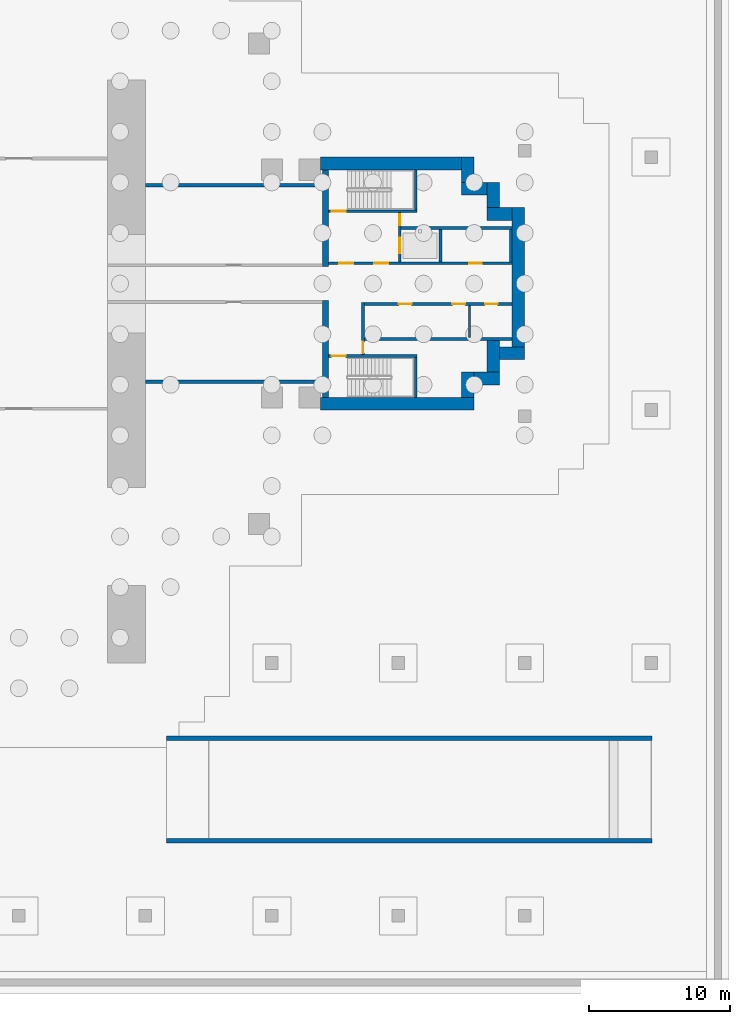
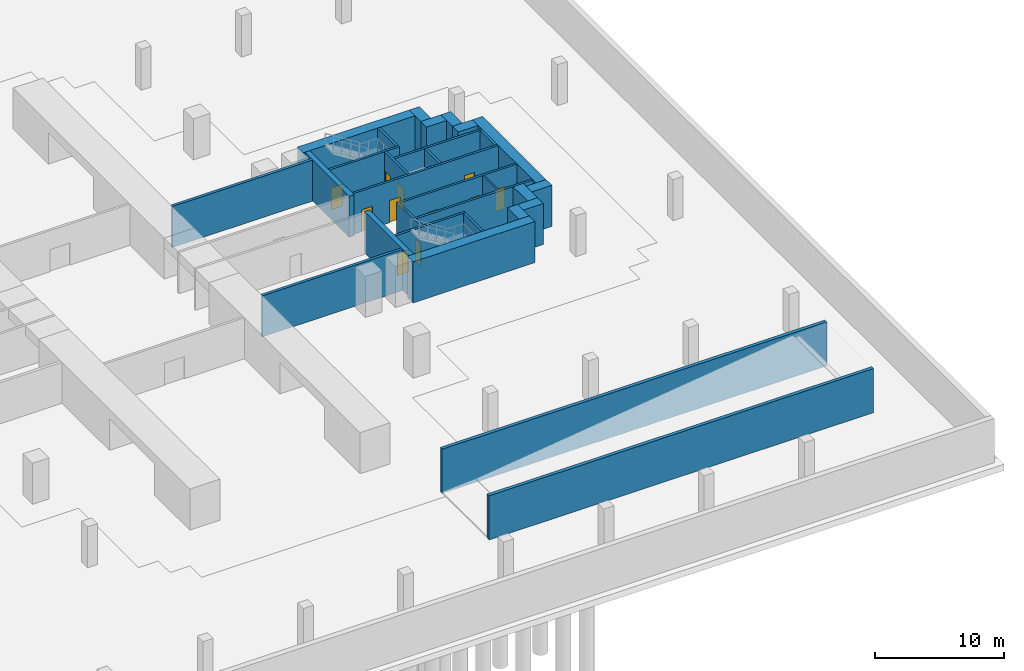
# One storey, part 6 of 11: 30 walls, 11 doors, 11 openings.
"""IFC4 building model written with IfcOpenShell, lengths in metres."""

from ifc_helpers import new_model, si_unit, direction, frame, frame_2d, origin, place, context, subcontext, project, spatial, rectangle, extrude, material, layer, layer_set, type_object, element, fill, save


model = new_model("IFC4")

# Units and contexts
model_context = context("Model", 3, precision=1e-05, world=origin(), true_north=direction((0.0, 1.0)))
body_context = subcontext(model_context, "Body", "Model", "MODEL_VIEW")
ifc_project = project(units=[si_unit("LENGTHUNIT", "METRE"), si_unit("AREAUNIT", "SQUARE_METRE"), si_unit("VOLUMEUNIT", "CUBIC_METRE"), si_unit("PLANEANGLEUNIT", "RADIAN"), si_unit("MASSUNIT", "GRAM", prefix="KILO")], contexts=[model_context])

# Site, building, storey
site_placement = place(None, origin())
site = spatial("IfcSite", under=ifc_project, at=site_placement, CompositionType="ELEMENT")
building_placement = place(site_placement, origin())
building = spatial("IfcBuilding", under=site, at=building_placement, Name="Perihelion Cross Residences", CompositionType="ELEMENT")
storey_placement = place(building_placement, frame((0.0, 0.0, -17.10009765625)))
storey = spatial("IfcBuildingStorey", under=building, at=storey_placement, Name="B4", CompositionType="ELEMENT", Elevation=-17.10009765625)

# Walls
ifc_material_1 = material(Name="Concrete C40/50", Category="concrete")
ifc_layer_1 = layer(ifc_material_1, 0.25)
ifc_layer_set_1 = layer_set([ifc_layer_1], Name="Basement enclosure wall 250")
wall_type_1 = type_object("IfcWallType", Name="Basement enclosure wall 250", PredefinedType="SOLIDWALL", material=ifc_layer_set_1)
for number, where, z_axis, x_axis, name in (
    (1, (9.0, 7.0, 0.0), (0.0, 0.0, 1.0), (1.0, 0.0, 0.0), "Basement enclosure wall B4 e.encl.n"),
    (2, (9.0, -7.0, 0.0), (0.0, 0.0, 1.0), (1.0, 0.0, 0.0), "Basement enclosure wall B4 e.encl.s"),
):
    element("IfcWall", number, at=place(storey_placement, frame(where, z_axis=z_axis, x_axis=x_axis)), inside=storey, type_object=wall_type_1, Name=name, PredefinedType="SOLIDWALL", context=body_context, shape_type="SweptSolid", body=[
        extrude(rectangle(XDim=12.60009765625, YDim=0.25, at=frame_2d((6.300048828125, 0.0))), origin(), (0.0, 0.0, 1.0), 3.900146484375),
    ])
ifc_material_2 = material(Name="Concrete C60/75", Category="concrete")
ifc_layer_2 = layer(ifc_material_2, 0.449951171875)
ifc_layer_set_2 = layer_set([ifc_layer_2], Name="Core wall, inner 450")
wall_type_2 = type_object("IfcWallType", Name="Core wall, inner 450", PredefinedType="SHEAR", material=ifc_layer_set_2)
for number, where, z_axis, x_axis, name in (
    (3, (21.824951171875, -8.10009765625, 0.0), (0.0, 0.0, 1.0), (0.0, 1.0, 0.0), "East core core wall, inner"),
    (4, (21.824951171875, 1.199951171875, 0.0), (0.0, 0.0, 1.0), (0.0, 1.0, 0.0), "East core core wall, inner"),
):
    element("IfcWall", number, at=place(storey_placement, frame(where, z_axis=z_axis, x_axis=x_axis)), inside=storey, type_object=wall_type_2, Name=name, PredefinedType="SHEAR", context=body_context, shape_type="SweptSolid", body=[
        extrude(rectangle(XDim=6.900146484375, YDim=0.449951171875, at=frame_2d((3.4501953125, 0.0))), origin(), (0.0, 0.0, 1.0), 3.900146484375),
    ])
ifc_material_3 = material(Name="Concrete C60/75", Category="concrete")
ifc_layer_3 = layer(ifc_material_3, 0.89990234375)
ifc_layer_set_3 = layer_set([ifc_layer_3], Name="Core wall, outer 900")
wall_type_3 = type_object("IfcWallType", Name="Core wall, outer 900", PredefinedType="SHEAR", material=ifc_layer_set_3)
wall_1_placement = place(storey_placement, frame((21.449951171875, -8.550048828125, 0.0), z_axis=(0.0, 0.0, 1.0), x_axis=(1.0, 0.0, 0.0)))
element("IfcWall", 5, at=wall_1_placement, inside=storey, type_object=wall_type_3, Name="East core core wall, outer", PredefinedType="SHEAR", context=body_context, shape_type="SweptSolid", body=[
    extrude(rectangle(XDim=10.949951171875, YDim=0.89990234375, at=frame_2d((5.47509765625, 0.0))), origin(), (0.0, 0.0, 1.0), 3.900146484375),
])
for number, where, z_axis, x_axis, name in (
    (6, (31.949951171875, -8.10009765625, 0.0), (0.0, 0.0, 1.0), (0.0, 1.0, 0.0), "East core core wall, outer"),
    (7, (32.39990234375, -6.75, 0.0), (0.0, 0.0, 1.0), (1.0, 0.0, 0.0), "East core core wall, outer"),
):
    element("IfcWall", number, at=place(storey_placement, frame(where, z_axis=z_axis, x_axis=x_axis)), inside=storey, type_object=wall_type_3, Name=name, PredefinedType="SHEAR", context=body_context, shape_type="SweptSolid", body=[
        extrude(rectangle(XDim=1.800048828125, YDim=0.89990234375, at=frame_2d((0.89990234375, 0.0))), origin(), (0.0, 0.0, 1.0), 3.900146484375),
    ])
wall_2_placement = place(storey_placement, frame((33.75, -6.300048828125, 0.0), z_axis=(0.0, 0.0, 1.0), x_axis=(0.0, 1.0, 0.0)))
element("IfcWall", 8, at=wall_2_placement, inside=storey, type_object=wall_type_3, Name="East core core wall, outer", PredefinedType="SHEAR", context=body_context, shape_type="SweptSolid", body=[
    extrude(rectangle(XDim=2.25, YDim=0.89990234375, at=frame_2d((1.125, 0.0))), origin(), (0.0, 0.0, 1.0), 3.900146484375),
])
wall_3_placement = place(storey_placement, frame((34.199951171875, -4.949951171875, 0.0), z_axis=(0.0, 0.0, 1.0), x_axis=(1.0, 0.0, 0.0)))
element("IfcWall", 9, at=wall_3_placement, inside=storey, type_object=wall_type_3, Name="East core core wall, outer", PredefinedType="SHEAR", context=body_context, shape_type="SweptSolid", body=[
    extrude(rectangle(XDim=1.800048828125, YDim=0.89990234375, at=frame_2d((0.89990234375, 0.0))), origin(), (0.0, 0.0, 1.0), 3.900146484375),
])
wall_4_placement = place(storey_placement, frame((35.550048828125, -4.5, 0.0), z_axis=(0.0, 0.0, 1.0), x_axis=(0.0, 1.0, 0.0)))
element("IfcWall", 10, at=wall_4_placement, inside=storey, type_object=wall_type_3, Name="East core core wall, outer", PredefinedType="SHEAR", context=body_context, shape_type="SweptSolid", body=[
    extrude(rectangle(XDim=9.89990234375, YDim=0.89990234375, at=frame_2d((4.949951171875, 0.0))), origin(), (0.0, 0.0, 1.0), 3.900146484375),
])
for number, where, z_axis, x_axis, name in (
    (11, (33.300048828125, 4.949951171875, 0.0), (0.0, 0.0, 1.0), (1.0, 0.0, 0.0), "East core core wall, outer"),
    (12, (33.75, 5.39990234375, 0.0), (0.0, 0.0, 1.0), (0.0, 1.0, 0.0), "East core core wall, outer"),
    (13, (31.5, 6.75, 0.0), (0.0, 0.0, 1.0), (1.0, 0.0, 0.0), "East core core wall, outer"),
    (14, (31.949951171875, 7.199951171875, 0.0), (0.0, 0.0, 1.0), (0.0, 1.0, 0.0), "East core core wall, outer"),
):
    element("IfcWall", number, at=place(storey_placement, frame(where, z_axis=z_axis, x_axis=x_axis)), inside=storey, type_object=wall_type_3, Name=name, PredefinedType="SHEAR", context=body_context, shape_type="SweptSolid", body=[
        extrude(rectangle(XDim=1.800048828125, YDim=0.89990234375, at=frame_2d((0.89990234375, 0.0))), origin(), (0.0, 0.0, 1.0), 3.900146484375),
    ])
wall_5_placement = place(storey_placement, frame((21.449951171875, 8.550048828125, 0.0), z_axis=(0.0, 0.0, 1.0), x_axis=(1.0, 0.0, 0.0)))
element("IfcWall", 15, at=wall_5_placement, inside=storey, type_object=wall_type_3, Name="East core core wall, outer", PredefinedType="SHEAR", context=body_context, shape_type="SweptSolid", body=[
    extrude(rectangle(XDim=10.050048828125, YDim=0.89990234375, at=frame_2d((5.02490234375, 0.0))), origin(), (0.0, 0.0, 1.0), 3.900146484375),
])

# Wall, opening, door
ifc_material_4 = material(Name="Concrete C50/60", Category="concrete")
ifc_layer_4 = layer(ifc_material_4, 0.199951171875)
ifc_layer_set_4 = layer_set([ifc_layer_4], Name="Lobby wall 200")
wall_type_4 = type_object("IfcWallType", Name="Lobby wall 200", PredefinedType="SOLIDWALL", material=ifc_layer_set_4)
wall_6_placement = place(storey_placement, frame((24.5, -5.050048828125, 0.0), z_axis=(0.0, 0.0, 1.0), x_axis=(0.0, 1.0, 0.0)))
wall_6 = element("IfcWall", 16, at=wall_6_placement, inside=storey, type_object=wall_type_4, Name="East core lobby wall", PredefinedType="SOLIDWALL", context=body_context, shape_type="SweptSolid", body=[
    extrude(rectangle(XDim=3.699951171875, YDim=0.199951171875, at=frame_2d((1.85009765625, 0.0))), origin(), (0.0, 0.0, 1.0), 3.900146484375),
])
opening_1_placement = place(wall_6_placement, frame((0.10009765625, 0.0, 0.0)))
opening_1 = element("IfcOpeningElement", 17, at=opening_1_placement, cuts=wall_6, Name="Opening B4.C05", PredefinedType="OPENING", context=body_context, shape_type="SweptSolid", body=[
    extrude(rectangle(XDim=0.800048828125, YDim=2.10009765625, at=frame_2d((0.39990234375, 1.050048828125))), frame((0.0, 0.10986328125, 0.0), z_axis=(0.0, -1.0, 0.0), x_axis=(1.0, 0.0, 0.0)), (0.0, 0.0, 1.0), 0.219970703125),
])
ifc_material_5 = material(Name="Steel, powder coated", Category="steel")
door_type_1 = type_object("IfcDoorType", Name="Riser door 800", OperationType="SINGLE_SWING_LEFT", PredefinedType="DOOR", material=ifc_material_5)
door_1_placement = place(opening_1_placement, origin())
door_1 = element("IfcDoor", 18, at=door_1_placement, inside=storey, type_object=door_type_1, Name="East core riser door", OperationType="SINGLE_SWING_LEFT", OverallHeight=2.10009765625, OverallWidth=0.800048828125, PredefinedType="DOOR", context=body_context, shape_type="SweptSolid", body=[
    extrude(rectangle(XDim=0.800048828125, YDim=2.10009765625, at=frame_2d((0.39990234375, 1.050048828125))), frame((0.0, 0.02490234375, 0.0), z_axis=(0.0, -1.0, 0.0), x_axis=(1.0, 0.0, 0.0)), (0.0, 0.0, 1.0), 0.050048828125),
])
fill(opening_1, door_1)

# Walls
ifc_material_6 = material(Name="Concrete C40/50", Category="concrete")
ifc_layer_5 = layer(ifc_material_6, 0.300048828125)
ifc_layer_set_5 = layer_set([ifc_layer_5], Name="Ramp side wall 300")
wall_type_5 = type_object("IfcWallType", Name="Ramp side wall 300", PredefinedType="SOLIDWALL", material=ifc_layer_set_5)
for number, where, z_axis, x_axis, name in (
    (19, (10.5, -39.64990234375, 0.0), (0.0, 0.0, 1.0), (1.0, 0.0, 0.0), "Ramp side wall B4 s"),
    (20, (10.5, -32.35009765625, 0.0), (0.0, 0.0, 1.0), (1.0, 0.0, 0.0), "Ramp side wall B4 n"),
):
    element("IfcWall", number, at=place(storey_placement, frame(where, z_axis=z_axis, x_axis=x_axis)), inside=storey, type_object=wall_type_5, Name=name, PredefinedType="SOLIDWALL", context=body_context, shape_type="SweptSolid", body=[
        extrude(rectangle(XDim=34.550048828125, YDim=0.300048828125, at=frame_2d((17.27490234375, 0.0))), origin(), (0.0, 0.0, 1.0), 4.2001953125),
    ])
ifc_material_7 = material(Name="Fire-rated board on steel stud", Category="steel")
ifc_layer_6 = layer(ifc_material_7, 0.14990234375)
ifc_layer_set_6 = layer_set([ifc_layer_6], Name="Riser wall 150")
wall_type_6 = type_object("IfcWallType", Name="Riser wall 150", PredefinedType="PARTITIONING", material=ifc_layer_set_6)
wall_7_placement = place(storey_placement, frame((32.074951171875, -3.85009765625, 0.0), z_axis=(0.0, 0.0, 1.0), x_axis=(0.0, 1.0, 0.0)))
element("IfcWall", 21, at=wall_7_placement, inside=storey, type_object=wall_type_6, Name="East core riser wall", PredefinedType="PARTITIONING", context=body_context, shape_type="SweptSolid", body=[
    extrude(rectangle(XDim=2.300048828125, YDim=0.14990234375, at=frame_2d((1.14990234375, 0.0))), origin(), (0.0, 0.0, 1.0), 3.900146484375),
])

# Wall, openings, doors
ifc_material_8 = material(Name="Concrete C50/60", Category="concrete")
ifc_layer_7 = layer(ifc_material_8, 0.199951171875)
ifc_layer_set_7 = layer_set([ifc_layer_7], Name="Shaft wall 200")
wall_type_7 = type_object("IfcWallType", Name="Shaft wall 200", PredefinedType="SOLIDWALL", material=ifc_layer_set_7)
wall_8_placement = place(storey_placement, frame((22.050048828125, 1.449951171875, 0.0), z_axis=(0.0, 0.0, 1.0), x_axis=(1.0, 0.0, 0.0)))
wall_8 = element("IfcWall", 22, at=wall_8_placement, inside=storey, type_object=wall_type_7, Name="East core shaft wall", PredefinedType="SOLIDWALL", context=body_context, shape_type="SweptSolid", body=[
    extrude(rectangle(XDim=13.050048828125, YDim=0.199951171875, at=frame_2d((6.52490234375, 0.0))), origin(), (0.0, 0.0, 1.0), 3.900146484375),
])
opening_2_placement = place(wall_8_placement, frame((0.75, 0.0, 0.0)))
opening_2 = element("IfcOpeningElement", 23, at=opening_2_placement, cuts=wall_8, Name="Opening B4.C04", PredefinedType="OPENING", context=body_context, shape_type="SweptSolid", body=[
    extrude(rectangle(XDim=1.0, YDim=2.10009765625, at=frame_2d((0.5, 1.050048828125))), frame((0.0, 0.10986328125, 0.0), z_axis=(0.0, -1.0, 0.0), x_axis=(1.0, 0.0, 0.0)), (0.0, 0.0, 1.0), 0.219970703125),
])
opening_3_placement = place(wall_8_placement, frame((3.25, 0.0, 0.0)))
opening_3 = element("IfcOpeningElement", 24, at=opening_3_placement, cuts=wall_8, Name="Opening B4.C06", PredefinedType="OPENING", context=body_context, shape_type="SweptSolid", body=[
    extrude(rectangle(XDim=1.0, YDim=2.10009765625, at=frame_2d((0.5, 1.050048828125))), frame((0.0, 0.10986328125, 0.0), z_axis=(0.0, -1.0, 0.0), x_axis=(1.0, 0.0, 0.0)), (0.0, 0.0, 1.0), 0.219970703125),
])
opening_4_placement = place(wall_8_placement, frame((10.0, 0.0, 0.0)))
opening_4 = element("IfcOpeningElement", 25, at=opening_4_placement, cuts=wall_8, Name="Opening B4.C10", PredefinedType="OPENING", context=body_context, shape_type="SweptSolid", body=[
    extrude(rectangle(XDim=0.89990234375, YDim=2.10009765625, at=frame_2d((0.449951171875, 1.050048828125))), frame((0.0, 0.10986328125, 0.0), z_axis=(0.0, -1.0, 0.0), x_axis=(1.0, 0.0, 0.0)), (0.0, 0.0, 1.0), 0.219970703125),
])
ifc_material_9 = material(Name="Steel, powder coated", Category="steel")
door_type_2 = type_object("IfcDoorType", Name="Lobby door 1000", OperationType="SINGLE_SWING_LEFT", PredefinedType="DOOR", material=ifc_material_9)
door_2_placement = place(opening_2_placement, origin())
door_2 = element("IfcDoor", 26, at=door_2_placement, inside=storey, type_object=door_type_2, Name="East core firefighting lobby door", OperationType="SINGLE_SWING_LEFT", OverallHeight=2.10009765625, OverallWidth=1.0, PredefinedType="DOOR", context=body_context, shape_type="SweptSolid", body=[
    extrude(rectangle(XDim=1.0, YDim=2.10009765625, at=frame_2d((0.5, 1.050048828125))), frame((0.0, 0.02490234375, 0.0), z_axis=(0.0, -1.0, 0.0), x_axis=(1.0, 0.0, 0.0)), (0.0, 0.0, 1.0), 0.050048828125),
])
fill(opening_2, door_2)
door_3_placement = place(opening_3_placement, origin())
door_3 = element("IfcDoor", 27, at=door_3_placement, inside=storey, type_object=door_type_2, Name="East core firefighting lobby door", OperationType="SINGLE_SWING_LEFT", OverallHeight=2.10009765625, OverallWidth=1.0, PredefinedType="DOOR", context=body_context, shape_type="SweptSolid", body=[
    extrude(rectangle(XDim=1.0, YDim=2.10009765625, at=frame_2d((0.5, 1.050048828125))), frame((0.0, 0.02490234375, 0.0), z_axis=(0.0, -1.0, 0.0), x_axis=(1.0, 0.0, 0.0)), (0.0, 0.0, 1.0), 0.050048828125),
])
fill(opening_3, door_3)
ifc_material_10 = material(Name="Steel, powder coated", Category="steel")
door_type_3 = type_object("IfcDoorType", Name="Service room door 900", OperationType="SINGLE_SWING_LEFT", PredefinedType="DOOR", material=ifc_material_10)
door_4_placement = place(opening_4_placement, origin())
door_4 = element("IfcDoor", 28, at=door_4_placement, inside=storey, type_object=door_type_3, Name="East core service room door", OperationType="SINGLE_SWING_LEFT", OverallHeight=2.10009765625, OverallWidth=0.89990234375, PredefinedType="DOOR", context=body_context, shape_type="SweptSolid", body=[
    extrude(rectangle(XDim=0.89990234375, YDim=2.10009765625, at=frame_2d((0.449951171875, 1.050048828125))), frame((0.0, 0.02490234375, 0.0), z_axis=(0.0, -1.0, 0.0), x_axis=(1.0, 0.0, 0.0)), (0.0, 0.0, 1.0), 0.050048828125),
])
fill(opening_4, door_4)

wall_9_placement = place(storey_placement, frame((24.60009765625, -1.449951171875, 0.0), z_axis=(0.0, 0.0, 1.0), x_axis=(1.0, 0.0, 0.0)))
wall_9 = element("IfcWall", 29, at=wall_9_placement, inside=storey, type_object=wall_type_7, Name="East core shaft wall", PredefinedType="SOLIDWALL", context=body_context, shape_type="SweptSolid", body=[
    extrude(rectangle(XDim=10.5, YDim=0.199951171875, at=frame_2d((5.25, 0.0))), origin(), (0.0, 0.0, 1.0), 3.900146484375),
])
opening_5_placement = place(wall_9_placement, frame((2.449951171875, 0.0, 0.0)))
opening_5 = element("IfcOpeningElement", 30, at=opening_5_placement, cuts=wall_9, Name="Opening B4.C08", PredefinedType="OPENING", context=body_context, shape_type="SweptSolid", body=[
    extrude(rectangle(XDim=0.89990234375, YDim=2.10009765625, at=frame_2d((0.449951171875, 1.050048828125))), frame((0.0, 0.10986328125, 0.0), z_axis=(0.0, -1.0, 0.0), x_axis=(1.0, 0.0, 0.0)), (0.0, 0.0, 1.0), 0.219970703125),
])
opening_6_placement = place(wall_9_placement, frame((6.25, 0.0, 0.0)))
opening_6 = element("IfcOpeningElement", 31, at=opening_6_placement, cuts=wall_9, Name="Opening B4.C09", PredefinedType="OPENING", context=body_context, shape_type="SweptSolid", body=[
    extrude(rectangle(XDim=0.89990234375, YDim=2.10009765625, at=frame_2d((0.449951171875, 1.050048828125))), frame((0.0, 0.10986328125, 0.0), z_axis=(0.0, -1.0, 0.0), x_axis=(1.0, 0.0, 0.0)), (0.0, 0.0, 1.0), 0.219970703125),
])
opening_7_placement = place(wall_9_placement, frame((8.574951171875, 0.0, 0.0)))
opening_7 = element("IfcOpeningElement", 32, at=opening_7_placement, cuts=wall_9, Name="Opening B4.C11", PredefinedType="OPENING", context=body_context, shape_type="SweptSolid", body=[
    extrude(rectangle(XDim=0.89990234375, YDim=2.10009765625, at=frame_2d((0.449951171875, 1.050048828125))), frame((0.0, 0.10986328125, 0.0), z_axis=(0.0, -1.0, 0.0), x_axis=(1.0, 0.0, 0.0)), (0.0, 0.0, 1.0), 0.219970703125),
])
door_5_placement = place(opening_5_placement, origin())
door_5 = element("IfcDoor", 33, at=door_5_placement, inside=storey, type_object=door_type_3, Name="East core service room door", OperationType="SINGLE_SWING_LEFT", OverallHeight=2.10009765625, OverallWidth=0.89990234375, PredefinedType="DOOR", context=body_context, shape_type="SweptSolid", body=[
    extrude(rectangle(XDim=0.89990234375, YDim=2.10009765625, at=frame_2d((0.449951171875, 1.050048828125))), frame((0.0, 0.02490234375, 0.0), z_axis=(0.0, -1.0, 0.0), x_axis=(1.0, 0.0, 0.0)), (0.0, 0.0, 1.0), 0.050048828125),
])
fill(opening_5, door_5)
door_6_placement = place(opening_6_placement, origin())
door_6 = element("IfcDoor", 34, at=door_6_placement, inside=storey, type_object=door_type_3, Name="East core service room door", OperationType="SINGLE_SWING_LEFT", OverallHeight=2.10009765625, OverallWidth=0.89990234375, PredefinedType="DOOR", context=body_context, shape_type="SweptSolid", body=[
    extrude(rectangle(XDim=0.89990234375, YDim=2.10009765625, at=frame_2d((0.449951171875, 1.050048828125))), frame((0.0, 0.02490234375, 0.0), z_axis=(0.0, -1.0, 0.0), x_axis=(1.0, 0.0, 0.0)), (0.0, 0.0, 1.0), 0.050048828125),
])
fill(opening_6, door_6)
door_7_placement = place(opening_7_placement, origin())
door_7 = element("IfcDoor", 35, at=door_7_placement, inside=storey, type_object=door_type_3, Name="East core service room door", OperationType="SINGLE_SWING_LEFT", OverallHeight=2.10009765625, OverallWidth=0.89990234375, PredefinedType="DOOR", context=body_context, shape_type="SweptSolid", body=[
    extrude(rectangle(XDim=0.89990234375, YDim=2.10009765625, at=frame_2d((0.449951171875, 1.050048828125))), frame((0.0, 0.02490234375, 0.0), z_axis=(0.0, -1.0, 0.0), x_axis=(1.0, 0.0, 0.0)), (0.0, 0.0, 1.0), 0.050048828125),
])
fill(opening_7, door_7)

# Walls
wall_10_placement = place(storey_placement, frame((27.199951171875, 3.949951171875, 0.0), z_axis=(0.0, 0.0, 1.0), x_axis=(1.0, 0.0, 0.0)))
element("IfcWall", 36, at=wall_10_placement, inside=storey, type_object=wall_type_7, Name="East core shaft wall", PredefinedType="SOLIDWALL", context=body_context, shape_type="SweptSolid", body=[
    extrude(rectangle(XDim=7.900146484375, YDim=0.199951171875, at=frame_2d((3.9501953125, 0.0))), origin(), (0.0, 0.0, 1.0), 3.900146484375),
])
wall_11_placement = place(storey_placement, frame((24.60009765625, -3.949951171875, 0.0), z_axis=(0.0, 0.0, 1.0), x_axis=(1.0, 0.0, 0.0)))
element("IfcWall", 37, at=wall_11_placement, inside=storey, type_object=wall_type_7, Name="East core shaft wall", PredefinedType="SOLIDWALL", context=body_context, shape_type="SweptSolid", body=[
    extrude(rectangle(XDim=10.5, YDim=0.199951171875, at=frame_2d((5.25, 0.0))), origin(), (0.0, 0.0, 1.0), 3.900146484375),
])

# Wall, openings, doors
wall_12_placement = place(storey_placement, frame((27.10009765625, 1.550048828125, 0.0), z_axis=(0.0, 0.0, 1.0), x_axis=(0.0, 1.0, 0.0)))
wall_12 = element("IfcWall", 38, at=wall_12_placement, inside=storey, type_object=wall_type_7, Name="East core shaft wall", PredefinedType="SOLIDWALL", context=body_context, shape_type="SweptSolid", body=[
    extrude(rectangle(XDim=3.5, YDim=0.199951171875, at=frame_2d((1.75, 0.0))), origin(), (0.0, 0.0, 1.0), 3.900146484375),
])
opening_8_placement = place(wall_12_placement, frame((0.60009765625, 0.0, 0.0)))
opening_8 = element("IfcOpeningElement", 39, at=opening_8_placement, cuts=wall_12, Name="Opening B4.C01", PredefinedType="OPENING", context=body_context, shape_type="SweptSolid", body=[
    extrude(rectangle(XDim=1.10009765625, YDim=2.10009765625, at=frame_2d((0.550048828125, 1.050048828125))), frame((0.0, 0.10986328125, 0.0), z_axis=(0.0, -1.0, 0.0), x_axis=(1.0, 0.0, 0.0)), (0.0, 0.0, 1.0), 0.219970703125),
])
opening_9_placement = place(wall_12_placement, frame((2.60009765625, 0.0, 0.0)))
opening_9 = element("IfcOpeningElement", 40, at=opening_9_placement, cuts=wall_12, Name="Opening B4.C07", PredefinedType="OPENING", context=body_context, shape_type="SweptSolid", body=[
    extrude(rectangle(XDim=0.800048828125, YDim=2.10009765625, at=frame_2d((0.39990234375, 1.050048828125))), frame((0.0, 0.10986328125, 0.0), z_axis=(0.0, -1.0, 0.0), x_axis=(1.0, 0.0, 0.0)), (0.0, 0.0, 1.0), 0.219970703125),
])
ifc_material_11 = material(Name="Stainless steel", Category="steel")
door_type_4 = type_object("IfcDoorType", Name="Landing door, firefighting lift 1100", OperationType="DOUBLE_DOOR_SLIDING", PredefinedType="DOOR", material=ifc_material_11)
door_8_placement = place(opening_8_placement, origin())
door_8 = element("IfcDoor", 41, at=door_8_placement, inside=storey, type_object=door_type_4, Name="Landing door, East core firefighting and service lift", OperationType="DOUBLE_DOOR_SLIDING", OverallHeight=2.10009765625, OverallWidth=1.10009765625, PredefinedType="DOOR", context=body_context, shape_type="SweptSolid", body=[
    extrude(rectangle(XDim=1.10009765625, YDim=2.10009765625, at=frame_2d((0.550048828125, 1.050048828125))), frame((0.0, 0.02490234375, 0.0), z_axis=(0.0, -1.0, 0.0), x_axis=(1.0, 0.0, 0.0)), (0.0, 0.0, 1.0), 0.050048828125),
])
fill(opening_8, door_8)
door_9_placement = place(opening_9_placement, origin())
door_9 = element("IfcDoor", 42, at=door_9_placement, inside=storey, type_object=door_type_1, Name="East core riser door", OperationType="SINGLE_SWING_LEFT", OverallHeight=2.10009765625, OverallWidth=0.800048828125, PredefinedType="DOOR", context=body_context, shape_type="SweptSolid", body=[
    extrude(rectangle(XDim=0.800048828125, YDim=2.10009765625, at=frame_2d((0.39990234375, 1.050048828125))), frame((0.0, 0.02490234375, 0.0), z_axis=(0.0, -1.0, 0.0), x_axis=(1.0, 0.0, 0.0)), (0.0, 0.0, 1.0), 0.050048828125),
])
fill(opening_9, door_9)

# Walls
for number, where, z_axis, x_axis, name in (
    (43, (30.0, 1.550048828125, 0.0), (0.0, 0.0, 1.0), (0.0, 1.0, 0.0), "East core shaft wall"),
    (44, (35.0, 1.550048828125, 0.0), (0.0, 0.0, 1.0), (0.0, 1.0, 0.0), "East core shaft wall"),
):
    element("IfcWall", number, at=place(storey_placement, frame(where, z_axis=z_axis, x_axis=x_axis)), inside=storey, type_object=wall_type_7, Name=name, PredefinedType="SOLIDWALL", context=body_context, shape_type="SweptSolid", body=[
        extrude(rectangle(XDim=2.300048828125, YDim=0.199951171875, at=frame_2d((1.14990234375, 0.0))), origin(), (0.0, 0.0, 1.0), 3.900146484375),
    ])

# Wall, opening, door
ifc_material_12 = material(Name="Concrete C50/60", Category="concrete")
ifc_layer_8 = layer(ifc_material_12, 0.199951171875)
ifc_layer_set_8 = layer_set([ifc_layer_8], Name="Stair wall 200")
wall_type_8 = type_object("IfcWallType", Name="Stair wall 200", PredefinedType="SOLIDWALL", material=ifc_layer_set_8)
wall_13_placement = place(storey_placement, frame((22.050048828125, 5.14990234375, 0.0), z_axis=(0.0, 0.0, 1.0), x_axis=(1.0, 0.0, 0.0)))
wall_13 = element("IfcWall", 45, at=wall_13_placement, inside=storey, type_object=wall_type_8, Name="East core stair wall", PredefinedType="SOLIDWALL", context=body_context, shape_type="SweptSolid", body=[
    extrude(rectangle(XDim=6.300048828125, YDim=0.199951171875, at=frame_2d((3.14990234375, 0.0))), origin(), (0.0, 0.0, 1.0), 3.900146484375),
])
opening_10_placement = place(wall_13_placement, frame((0.199951171875, 0.0, 0.0)))
opening_10 = element("IfcOpeningElement", 46, at=opening_10_placement, cuts=wall_13, Name="Opening B4.C03", PredefinedType="OPENING", context=body_context, shape_type="SweptSolid", body=[
    extrude(rectangle(XDim=1.0, YDim=2.10009765625, at=frame_2d((0.5, 1.050048828125))), frame((0.0, 0.10986328125, 0.0), z_axis=(0.0, -1.0, 0.0), x_axis=(1.0, 0.0, 0.0)), (0.0, 0.0, 1.0), 0.219970703125),
])
ifc_material_13 = material(Name="Steel, powder coated", Category="steel")
door_type_5 = type_object("IfcDoorType", Name="Stair door 1000", OperationType="SINGLE_SWING_LEFT", PredefinedType="DOOR", material=ifc_material_13)
door_10_placement = place(opening_10_placement, origin())
door_10 = element("IfcDoor", 47, at=door_10_placement, inside=storey, type_object=door_type_5, Name="East core stair door", OperationType="SINGLE_SWING_LEFT", OverallHeight=2.10009765625, OverallWidth=1.0, PredefinedType="DOOR", context=body_context, shape_type="SweptSolid", body=[
    extrude(rectangle(XDim=1.0, YDim=2.10009765625, at=frame_2d((0.5, 1.050048828125))), frame((0.0, 0.02490234375, 0.0), z_axis=(0.0, -1.0, 0.0), x_axis=(1.0, 0.0, 0.0)), (0.0, 0.0, 1.0), 0.050048828125),
])
fill(opening_10, door_10)

wall_14_placement = place(storey_placement, frame((22.050048828125, -5.14990234375, 0.0), z_axis=(0.0, 0.0, 1.0), x_axis=(1.0, 0.0, 0.0)))
wall_14 = element("IfcWall", 48, at=wall_14_placement, inside=storey, type_object=wall_type_8, Name="East core stair wall", PredefinedType="SOLIDWALL", context=body_context, shape_type="SweptSolid", body=[
    extrude(rectangle(XDim=6.300048828125, YDim=0.199951171875, at=frame_2d((3.14990234375, 0.0))), origin(), (0.0, 0.0, 1.0), 3.900146484375),
])
opening_11_placement = place(wall_14_placement, frame((0.199951171875, 0.0, 0.0)))
opening_11 = element("IfcOpeningElement", 49, at=opening_11_placement, cuts=wall_14, Name="Opening B4.C02", PredefinedType="OPENING", context=body_context, shape_type="SweptSolid", body=[
    extrude(rectangle(XDim=1.0, YDim=2.10009765625, at=frame_2d((0.5, 1.050048828125))), frame((0.0, 0.10986328125, 0.0), z_axis=(0.0, -1.0, 0.0), x_axis=(1.0, 0.0, 0.0)), (0.0, 0.0, 1.0), 0.219970703125),
])
door_11_placement = place(opening_11_placement, origin())
door_11 = element("IfcDoor", 50, at=door_11_placement, inside=storey, type_object=door_type_5, Name="East core stair door", OperationType="SINGLE_SWING_LEFT", OverallHeight=2.10009765625, OverallWidth=1.0, PredefinedType="DOOR", context=body_context, shape_type="SweptSolid", body=[
    extrude(rectangle(XDim=1.0, YDim=2.10009765625, at=frame_2d((0.5, 1.050048828125))), frame((0.0, 0.02490234375, 0.0), z_axis=(0.0, -1.0, 0.0), x_axis=(1.0, 0.0, 0.0)), (0.0, 0.0, 1.0), 0.050048828125),
])
fill(opening_11, door_11)

# Walls
for number, where, z_axis, x_axis, name in (
    (51, (28.25, 5.25, 0.0), (0.0, 0.0, 1.0), (0.0, 1.0, 0.0), "East core stair wall"),
    (52, (28.25, -8.10009765625, 0.0), (0.0, 0.0, 1.0), (0.0, 1.0, 0.0), "East core stair wall"),
):
    element("IfcWall", number, at=place(storey_placement, frame(where, z_axis=z_axis, x_axis=x_axis)), inside=storey, type_object=wall_type_8, Name=name, PredefinedType="SOLIDWALL", context=body_context, shape_type="SweptSolid", body=[
        extrude(rectangle(XDim=2.85009765625, YDim=0.199951171875, at=frame_2d((1.425048828125, 0.0))), origin(), (0.0, 0.0, 1.0), 3.900146484375),
    ])

save(model, "model.ifc")
